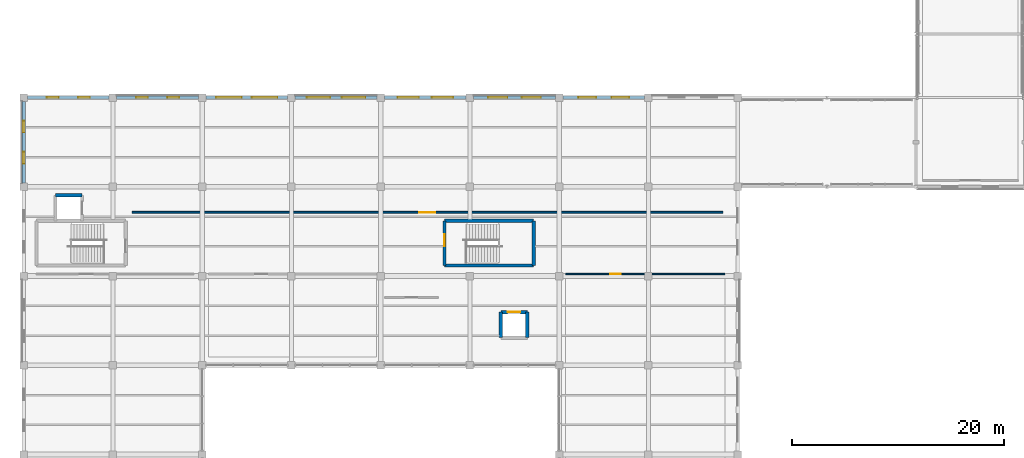
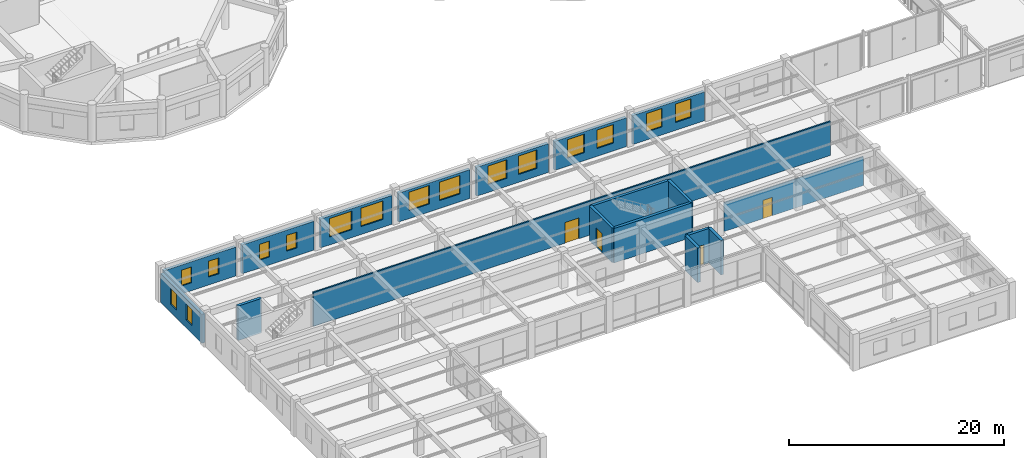
# One storey, part 119 of 152: 18 walls, 16 windows, 4 doors, 20 openings.
"""IFC4 building model written with IfcOpenShell, lengths in metres."""

import ifcopenshell
import ifcopenshell.guid

model = None  # the IFC model being written
_history = None  # IfcOwnerHistory: only IFC2X3 demands one
_inside = {}  # id of a spatial element -> (the spatial element, [elements in it])
_under = {}  # id of a project, library or spatial element -> (it, [spatial elements below it])
_declared = {}  # id of a project -> (the project, [libraries it declares])
_typed = {}  # id of a type object -> (the type object, [elements of that type])
_made_of = {}  # id of a material, layer set ... -> (it, [elements and type objects made of it])


def new_model(schema):
    """Start an empty IFC model of exactly this schema.

    Asked for "IFC4X3", IfcOpenShell would pick the latest addendum, in which some entities
    have other attributes; the version numbers below select the first issue.
    IFC2X3 requires an IfcOwnerHistory on every rooted entity: one is made here for all.
    """
    global model, _history
    if schema == "IFC4X3":
        model = ifcopenshell.file(schema_version=(4, 3, 0, 0))
    else:
        model = ifcopenshell.file(schema=schema)
    _inside.clear()
    _under.clear()
    _declared.clear()
    _typed.clear()
    _made_of.clear()
    _history = None
    if model.schema == "IFC2X3":
        org = make("IfcOrganization", Name="unknown")
        user = make(
            "IfcPersonAndOrganization",
            ThePerson=make("IfcPerson", FamilyName="unknown"),
            TheOrganization=org,
        )
        app = make(
            "IfcApplication",
            ApplicationDeveloper=org,
            Version="unknown",
            ApplicationFullName="unknown",
            ApplicationIdentifier="unknown",
        )
        _history = make(
            "IfcOwnerHistory",
            OwningUser=user,
            OwningApplication=app,
            ChangeAction="ADDED",
            CreationDate=0,
        )
    return model


def make(cls, **values):
    """One entity of the class cls with the attributes given. An attribute that is None is left unset."""
    return model.create_entity(
        cls, **{name: value for name, value in values.items() if value is not None}
    )


def rooted(cls, **values):
    """An entity with a GlobalId (a new one), such as an element, a storey or a relation."""
    return make(cls, GlobalId=ifcopenshell.guid.new(), OwnerHistory=_history, **values)


def si_unit(unit_type, name, prefix=None):
    """IfcSIUnit, for example si_unit("LENGTHUNIT", "METRE", prefix="MILLI")."""
    return make("IfcSIUnit", UnitType=unit_type, Prefix=prefix, Name=name)


def assignment(units):
    """IfcUnitAssignment: the units of a project."""
    return None if units is None else make("IfcUnitAssignment", Units=units)


def point(xyz):
    """IfcCartesianPoint."""
    return None if xyz is None else make("IfcCartesianPoint", Coordinates=xyz)


def direction(xyz):
    """IfcDirection."""
    return None if xyz is None else make("IfcDirection", DirectionRatios=xyz)


def frame(location, z_axis=None, x_axis=None):
    """IfcAxis2Placement3D, a coordinate frame: its origin and axes. An axis left out is left unset."""
    return make(
        "IfcAxis2Placement3D",
        Location=point(location),
        Axis=direction(z_axis),
        RefDirection=direction(x_axis),
    )


def frame_2d(location, x_axis=None):
    """IfcAxis2Placement2D, a coordinate frame in the plane: its origin and x axis."""
    return make(
        "IfcAxis2Placement2D", Location=point(location), RefDirection=direction(x_axis)
    )


def origin():
    """The frame at (0, 0, 0) with its axes left unset."""
    return frame((0.0, 0.0, 0.0))


def place(relative_to, where):
    """IfcLocalPlacement: puts the frame where relative to a parent placement (None: the world)."""
    return make(
        "IfcLocalPlacement", PlacementRelTo=relative_to, RelativePlacement=where
    )


def context(
    kind, dimensions, precision=None, world=None, true_north=None, identifier=None
):
    """IfcGeometricRepresentationContext, for example the 3D "Model" context."""
    return make(
        "IfcGeometricRepresentationContext",
        ContextIdentifier=identifier,
        ContextType=kind,
        CoordinateSpaceDimension=dimensions,
        Precision=precision,
        WorldCoordinateSystem=world,
        TrueNorth=true_north,
    )


def subcontext(parent, identifier, kind, view, scale=None):
    """IfcGeometricRepresentationSubContext, for example "Body" below "Model"."""
    return make(
        "IfcGeometricRepresentationSubContext",
        ContextIdentifier=identifier,
        ContextType=kind,
        ParentContext=parent,
        TargetScale=scale,
        TargetView=view,
    )


def project(units=None, contexts=None):
    """IfcProject with its units and contexts."""
    return rooted(
        "IfcProject",
        Name="project",
        RepresentationContexts=contexts,
        UnitsInContext=assignment(units),
    )


def spatial(cls, under=None, at=None, **own):
    """A site, building, storey or space (cls), placed at a placement, below another one or the project."""
    s = rooted(cls, ObjectPlacement=at, **own)
    if under is not None:
        _under.setdefault(under.id(), (under, []))[1].append(s)
    return s


def profile(cls, at=None, kind="AREA", **sizes):
    """A parametric profile (cls). Its sizes go by their IFC names, for example OverallWidth=200.0."""
    return make(cls, ProfileType=kind, Position=at, **sizes)


def rectangle(**sizes):
    """IfcRectangleProfileDef."""
    return profile("IfcRectangleProfileDef", **sizes)


def extrude(swept, where, along, depth):
    """IfcExtrudedAreaSolid: the profile swept, set in the frame where, extruded along a direction by depth."""
    return make(
        "IfcExtrudedAreaSolid",
        SweptArea=swept,
        Position=where,
        ExtrudedDirection=direction(along),
        Depth=depth,
    )


def shape(context_of_items, identifier, shape_type, items):
    """IfcShapeRepresentation: the items that make up one representation, for example the "Body"."""
    return make(
        "IfcShapeRepresentation",
        ContextOfItems=context_of_items,
        RepresentationIdentifier=identifier,
        RepresentationType=shape_type,
        Items=items,
    )


def material(Name=None, Category=None):
    """IfcMaterial."""
    return make("IfcMaterial", Name=Name, Category=Category)


def layer(
    of_material, thickness, ventilated=None, Name=None, Category=None, Priority=None
):
    """IfcMaterialLayer: one layer of a wall or slab, of a material (None: an air gap)."""
    return make(
        "IfcMaterialLayer",
        Material=of_material,
        LayerThickness=thickness,
        IsVentilated=ventilated,
        Name=Name,
        Category=Category,
        Priority=Priority,
    )


def layer_set(layers, Name=None):
    """IfcMaterialLayerSet."""
    return make("IfcMaterialLayerSet", MaterialLayers=layers, LayerSetName=Name)


def made_of(thing, what):
    """Note that an element or type object is made of a material, layer set ...; save() writes the relation."""
    if what is not None:
        _made_of.setdefault(what.id(), (what, []))[1].append(thing)
    return thing


def type_object(cls, material=None, **own):
    """A type object (cls), such as IfcWallType, which elements share."""
    return made_of(rooted(cls, **own), material)


def element(
    cls,
    number,
    at=None,
    inside=None,
    cuts=None,
    type_object=None,
    material=None,
    context=None,
    identifier="Body",
    shape_type=None,
    held_by="IfcProductDefinitionShape",
    body=None,
    shapes=None,
    **own,
):
    """One element of the class cls, such as IfcWall. Its Tag is "e" and its number.

    at: its placement. inside: the storey or other place that contains it. cuts: it is an
    opening in that element (IfcRelVoidsElement). A single representation is given by context,
    identifier, shape_type and body (its items); several are given by shapes. held_by: the class
    of the entity that holds the representations. save() writes the other relations.
    """
    e = rooted(cls, Tag="e%d" % number, ObjectPlacement=at, **own)
    if body is not None:
        shapes = [shape(context, identifier, shape_type, body)]
    if shapes is not None:
        e.Representation = make(held_by, Representations=shapes)
    if inside is not None:
        _inside.setdefault(inside.id(), (inside, []))[1].append(e)
    if cuts is not None:
        rooted(
            "IfcRelVoidsElement", RelatingBuildingElement=cuts, RelatedOpeningElement=e
        )
    if type_object is not None:
        _typed.setdefault(type_object.id(), (type_object, []))[1].append(e)
    return made_of(e, material)


def fill(opening, filler):
    """IfcRelFillsElement: the door or window that sits in an opening."""
    return rooted(
        "IfcRelFillsElement",
        RelatingOpeningElement=opening,
        RelatedBuildingElement=filler,
    )


def aggregate(whole, parts):
    """IfcRelAggregates: a whole, such as a stair, and the parts it consists of."""
    return rooted("IfcRelAggregates", RelatingObject=whole, RelatedObjects=parts)


def save(model, path):
    """Write the relations noted so far, then the file.

    IfcRelAggregates (storeys below a building ...), IfcRelContainedInSpatialStructure (elements
    in a storey), IfcRelDefinesByType, IfcRelAssociatesMaterial and IfcRelDeclares: one each for
    every whole, place, type object, material and project.
    """
    for whole, parts in _under.values():
        aggregate(whole, parts)
    for where, things in _inside.values():
        rooted(
            "IfcRelContainedInSpatialStructure",
            RelatedElements=things,
            RelatingStructure=where,
        )
    for kind, things in _typed.values():
        rooted("IfcRelDefinesByType", RelatedObjects=things, RelatingType=kind)
    for what, things in _made_of.values():
        rooted("IfcRelAssociatesMaterial", RelatedObjects=things, RelatingMaterial=what)
    for by, libraries in _declared.values():
        rooted("IfcRelDeclares", RelatingContext=by, RelatedDefinitions=libraries)
    model.write(path)


model = new_model("IFC4")

# Units and contexts
model_context = context("Model", 3, precision=1e-05, world=origin(), true_north=direction((0.0, 1.0)))
body_context = subcontext(model_context, "Body", "Model", "MODEL_VIEW")
ifc_project = project(units=[si_unit("LENGTHUNIT", "METRE"), si_unit("AREAUNIT", "SQUARE_METRE"), si_unit("VOLUMEUNIT", "CUBIC_METRE"), si_unit("PLANEANGLEUNIT", "RADIAN"), si_unit("MASSUNIT", "GRAM", prefix="KILO"), si_unit("THERMODYNAMICTEMPERATUREUNIT", "KELVIN"), si_unit("POWERUNIT", "WATT")], contexts=[model_context])

# Site, building, storey
site_placement = place(None, origin())
site = spatial("IfcSite", under=ifc_project, at=site_placement, CompositionType="ELEMENT")
building_placement = place(site_placement, origin())
building = spatial("IfcBuilding", under=site, at=building_placement, Name="Darbajah Civic Hall", CompositionType="ELEMENT")
storey_placement = place(building_placement, frame((0.0, 0.0, 5.39990234375)))
storey = spatial("IfcBuildingStorey", under=building, at=storey_placement, Name="L01", CompositionType="ELEMENT", Elevation=5.39990234375)

# Walls
ifc_material_1 = material(Name="Concrete C45/55", Category="concrete")
ifc_layer_1 = layer(ifc_material_1, 0.300048828125, Name="Concrete C45/55")
ifc_layer_set_1 = layer_set([ifc_layer_1], Name="Concrete C45/55")
wall_type_1 = type_object("IfcWallType", Name="Core Shear Wall 300mm", PredefinedType="SHEAR", material=ifc_layer_set_1)
wall_1_placement = place(storey_placement, frame((5.5, 32.800048828125, 0.0), z_axis=(0.0, 0.0, 1.0), x_axis=(-1.0, 0.0, 0.0)))
element("IfcWall", 1, at=wall_1_placement, inside=storey, type_object=wall_type_1, Name="L01 lift PL5 shaft wall N", PredefinedType="SHEAR", context=body_context, shape_type="SweptSolid", body=[
    extrude(rectangle(XDim=2.5, YDim=0.300048828125, at=frame_2d((1.25, 0.0))), origin(), (0.0, 0.0, 1.0), 3.920166015625),
])
wall_2_placement = place(storey_placement, frame((39.60009765625, 26.199951171875, 0.0), z_axis=(0.0, 0.0, 1.0), x_axis=(1.0, 0.0, 0.0)))
element("IfcWall", 2, at=wall_2_placement, inside=storey, type_object=wall_type_1, Name="L01 core C11 shear wall S", PredefinedType="SHEAR", context=body_context, shape_type="SweptSolid", body=[
    extrude(rectangle(XDim=8.39990234375, YDim=0.300048828125, at=frame_2d((4.199951171875, 0.0))), origin(), (0.0, 0.0, 1.0), 3.920166015625),
])
wall_3_placement = place(storey_placement, frame((48.0, 26.199951171875, 0.0), z_axis=(0.0, 0.0, 1.0), x_axis=(0.0, 1.0, 0.0)))
element("IfcWall", 3, at=wall_3_placement, inside=storey, type_object=wall_type_1, Name="L01 core C11 shear wall E", PredefinedType="SHEAR", context=body_context, shape_type="SweptSolid", body=[
    extrude(rectangle(XDim=4.199951171875, YDim=0.300048828125, at=frame_2d((2.10009765625, 0.0))), origin(), (0.0, 0.0, 1.0), 3.920166015625),
])
wall_4_placement = place(storey_placement, frame((48.0, 30.39990234375, 0.0), z_axis=(0.0, 0.0, 1.0), x_axis=(-1.0, 0.0, 0.0)))
element("IfcWall", 4, at=wall_4_placement, inside=storey, type_object=wall_type_1, Name="L01 core C11 shear wall N", PredefinedType="SHEAR", context=body_context, shape_type="SweptSolid", body=[
    extrude(rectangle(XDim=8.39990234375, YDim=0.300048828125, at=frame_2d((4.199951171875, 0.0))), origin(), (0.0, 0.0, 1.0), 3.920166015625),
])

# Wall, opening, door
wall_5_placement = place(storey_placement, frame((39.60009765625, 30.39990234375, 0.0), z_axis=(0.0, 0.0, 1.0), x_axis=(0.0, -1.0, 0.0)))
wall_5 = element("IfcWall", 5, at=wall_5_placement, inside=storey, type_object=wall_type_1, Name="L01 core C11 shear wall W", PredefinedType="SHEAR", context=body_context, shape_type="SweptSolid", body=[
    extrude(rectangle(XDim=4.199951171875, YDim=0.300048828125, at=frame_2d((2.10009765625, 0.0))), origin(), (0.0, 0.0, 1.0), 3.920166015625),
])
opening_1_placement = place(wall_5_placement, frame((1.25, 0.0, 0.0)))
opening_1 = element("IfcOpeningElement", 6, at=opening_1_placement, cuts=wall_5, Name="Opening SD-0122", PredefinedType="OPENING", context=body_context, shape_type="SweptSolid", body=[
    extrude(rectangle(XDim=1.14990234375, YDim=2.199951171875, at=frame_2d((0.574951171875, 1.10009765625))), frame((0.0, 0.159912109375, 0.0), z_axis=(0.0, -1.0, 0.0), x_axis=(1.0, 0.0, 0.0)), (0.0, 0.0, 1.0), 0.320068359375),
])
ifc_material_2 = material(Name="Steel Rated Core Door", Category="steel")
door_type_1 = type_object("IfcDoorType", Name="Interior Door 1150x2200", OperationType="NOTDEFINED", PredefinedType="DOOR", material=ifc_material_2)
door_1_placement = place(opening_1_placement, origin())
door_1 = element("IfcDoor", 7, at=door_1_placement, inside=storey, type_object=door_type_1, Name="L01 stair ST11 fire door SD-0122", OperationType="SINGLE_SWING_LEFT", OverallHeight=2.199951171875, OverallWidth=1.14990234375, PredefinedType="DOOR", context=body_context, shape_type="SweptSolid", body=[
    extrude(rectangle(XDim=1.14990234375, YDim=2.199951171875, at=frame_2d((0.574951171875, 1.10009765625))), frame((0.0, 0.02490234375, 0.0), z_axis=(0.0, -1.0, 0.0), x_axis=(1.0, 0.0, 0.0)), (0.0, 0.0, 1.0), 0.050048828125),
])
fill(opening_1, door_1)

wall_6_placement = place(storey_placement, frame((47.39990234375, 21.800048828125, 0.0), z_axis=(0.0, 0.0, 1.0), x_axis=(-1.0, 0.0, 0.0)))
wall_6 = element("IfcWall", 8, at=wall_6_placement, inside=storey, type_object=wall_type_1, Name="L01 lift PL6 shaft wall N", PredefinedType="SHEAR", context=body_context, shape_type="SweptSolid", body=[
    extrude(rectangle(XDim=2.5, YDim=0.300048828125, at=frame_2d((1.25, 0.0))), origin(), (0.0, 0.0, 1.0), 3.920166015625),
])
opening_2_placement = place(wall_6_placement, frame((0.64990234375, 0.0, 0.0)))
opening_2 = element("IfcOpeningElement", 9, at=opening_2_placement, cuts=wall_6, Name="Opening LD-0128", PredefinedType="OPENING", context=body_context, shape_type="SweptSolid", body=[
    extrude(rectangle(XDim=1.199951171875, YDim=2.25, at=frame_2d((0.60009765625, 1.125))), frame((0.0, 0.159912109375, 0.0), z_axis=(0.0, -1.0, 0.0), x_axis=(1.0, 0.0, 0.0)), (0.0, 0.0, 1.0), 0.320068359375),
])
ifc_material_3 = material(Name="Stainless Lift Landing Door")
door_type_2 = type_object("IfcDoorType", Name="Lift Landing Door 1200x2250", OperationType="SLIDING_TO_LEFT", PredefinedType="DOOR", material=ifc_material_3)
door_2_placement = place(opening_2_placement, origin())
door_2 = element("IfcDoor", 10, at=door_2_placement, inside=storey, type_object=door_type_2, Name="L01 lift PL6 landing door LD-0128", OperationType="SLIDING_TO_LEFT", OverallHeight=2.25, OverallWidth=1.199951171875, PredefinedType="DOOR", context=body_context, shape_type="SweptSolid", body=[
    extrude(rectangle(XDim=1.199951171875, YDim=2.25, at=frame_2d((0.60009765625, 1.125))), frame((0.0, 0.02490234375, 0.0), z_axis=(0.0, -1.0, 0.0), x_axis=(1.0, 0.0, 0.0)), (0.0, 0.0, 1.0), 0.050048828125),
])
fill(opening_2, door_2)

# Walls
for number, where, z_axis, x_axis, name in (
    (11, (44.89990234375, 21.800048828125, 0.0), (0.0, 0.0, 1.0), (0.0, -1.0, 0.0), "L01 lift PL6 shaft wall W"),
    (12, (47.39990234375, 19.39990234375, 0.0), (0.0, 0.0, 1.0), (0.0, 1.0, 0.0), "L01 lift PL6 shaft wall E"),
):
    element("IfcWall", number, at=place(storey_placement, frame(where, z_axis=z_axis, x_axis=x_axis)), inside=storey, type_object=wall_type_1, Name=name, PredefinedType="SHEAR", context=body_context, shape_type="SweptSolid", body=[
        extrude(rectangle(XDim=2.400146484375, YDim=0.300048828125, at=frame_2d((1.2001953125, 0.0))), origin(), (0.0, 0.0, 1.0), 3.920166015625),
    ])

# Wall, openings, windows
ifc_material_4 = material(Name="Red Dholpur Sandstone Cladding", Category="masonry")
ifc_layer_2 = layer(ifc_material_4, 0.31005859375, Name="Red Dholpur Sandstone Cladding")
ifc_layer_set_2 = layer_set([ifc_layer_2], Name="Red Dholpur Sandstone Cladding")
wall_type_2 = type_object("IfcWallType", Name="Exterior Wall 310mm", PredefinedType="SOLIDWALL", material=ifc_layer_set_2)
wall_7_placement = place(storey_placement, frame((58.447998046875, 42.0, 0.0), z_axis=(0.0, 0.0, 1.0), x_axis=(-1.0, 0.0, 0.0)))
wall_7 = element("IfcWall", 13, at=wall_7_placement, inside=storey, type_object=wall_type_2, Name="L01 exterior wall EW-310", PredefinedType="SOLIDWALL", context=body_context, shape_type="SweptSolid", body=[
    extrude(rectangle(XDim=7.696044921875, YDim=0.31005859375, at=frame_2d((3.84814453125, 0.0))), origin(), (0.0, 0.0, 1.0), 3.2900390625),
])
opening_3_placement = place(wall_7_placement, frame((1.46533203125, 0.0, 0.89990234375)))
opening_3 = element("IfcOpeningElement", 14, at=opening_3_placement, cuts=wall_7, Name="Opening WN-04", PredefinedType="OPENING", context=body_context, shape_type="SweptSolid", body=[
    extrude(rectangle(XDim=1.64990234375, YDim=2.10009765625, at=frame_2d((0.824951171875, 1.050048828125))), frame((0.0, 0.1650390625, 0.0), z_axis=(0.0, -1.0, 0.0), x_axis=(1.0, 0.0, 0.0)), (0.0, 0.0, 1.0), 0.330078125),
])
opening_4_placement = place(wall_7_placement, frame((4.580810546875, 0.0, 0.89990234375)))
opening_4 = element("IfcOpeningElement", 15, at=opening_4_placement, cuts=wall_7, Name="Opening WN-04", PredefinedType="OPENING", context=body_context, shape_type="SweptSolid", body=[
    extrude(rectangle(XDim=1.64990234375, YDim=2.10009765625, at=frame_2d((0.824951171875, 1.050048828125))), frame((0.0, 0.1650390625, 0.0), z_axis=(0.0, -1.0, 0.0), x_axis=(1.0, 0.0, 0.0)), (0.0, 0.0, 1.0), 0.330078125),
])
ifc_material_5 = material(Name="Low-E Solar Control Double Glazing", Category="glass")
window_type_1 = type_object("IfcWindowType", Name="Facade Window 1650x2100", PartitioningType="DOUBLE_PANEL_VERTICAL", PredefinedType="WINDOW", material=ifc_material_5)
window_1_placement = place(opening_3_placement, origin())
window_1 = element("IfcWindow", 16, at=window_1_placement, inside=storey, type_object=window_type_1, Name="L01 facade window WN-04", OverallHeight=2.10009765625, OverallWidth=1.64990234375, PartitioningType="SINGLE_PANEL", PredefinedType="WINDOW", context=body_context, shape_type="SweptSolid", body=[
    extrude(rectangle(XDim=1.64990234375, YDim=2.10009765625, at=frame_2d((0.824951171875, 1.050048828125))), frame((0.0, 0.030029296875, 0.0), z_axis=(0.0, -1.0, 0.0), x_axis=(1.0, 0.0, 0.0)), (0.0, 0.0, 1.0), 0.06005859375),
])
fill(opening_3, window_1)
window_2_placement = place(opening_4_placement, origin())
window_2 = element("IfcWindow", 17, at=window_2_placement, inside=storey, type_object=window_type_1, Name="L01 facade window WN-04", OverallHeight=2.10009765625, OverallWidth=1.64990234375, PartitioningType="SINGLE_PANEL", PredefinedType="WINDOW", context=body_context, shape_type="SweptSolid", body=[
    extrude(rectangle(XDim=1.64990234375, YDim=2.10009765625, at=frame_2d((0.824951171875, 1.050048828125))), frame((0.0, 0.030029296875, 0.0), z_axis=(0.0, -1.0, 0.0), x_axis=(1.0, 0.0, 0.0)), (0.0, 0.0, 1.0), 0.06005859375),
])
fill(opening_4, window_2)

wall_8_placement = place(storey_placement, frame((50.048095703125, 42.0, 0.0), z_axis=(0.0, 0.0, 1.0), x_axis=(-1.0, 0.0, 0.0)))
wall_8 = element("IfcWall", 18, at=wall_8_placement, inside=storey, type_object=wall_type_2, Name="L01 exterior wall EW-310", PredefinedType="SOLIDWALL", context=body_context, shape_type="SweptSolid", body=[
    extrude(rectangle(XDim=7.696044921875, YDim=0.31005859375, at=frame_2d((3.84814453125, 0.0))), origin(), (0.0, 0.0, 1.0), 3.2900390625),
])
opening_5_placement = place(wall_8_placement, frame((1.365234375, 0.0, 0.89990234375)))
opening_5 = element("IfcOpeningElement", 19, at=opening_5_placement, cuts=wall_8, Name="Opening WN-05", PredefinedType="OPENING", context=body_context, shape_type="SweptSolid", body=[
    extrude(rectangle(XDim=1.800048828125, YDim=2.10009765625, at=frame_2d((0.89990234375, 1.050048828125))), frame((0.0, 0.1650390625, 0.0), z_axis=(0.0, -1.0, 0.0), x_axis=(1.0, 0.0, 0.0)), (0.0, 0.0, 1.0), 0.330078125),
])
opening_6_placement = place(wall_8_placement, frame((4.53076171875, 0.0, 0.89990234375)))
opening_6 = element("IfcOpeningElement", 20, at=opening_6_placement, cuts=wall_8, Name="Opening WN-05", PredefinedType="OPENING", context=body_context, shape_type="SweptSolid", body=[
    extrude(rectangle(XDim=1.800048828125, YDim=2.10009765625, at=frame_2d((0.89990234375, 1.050048828125))), frame((0.0, 0.1650390625, 0.0), z_axis=(0.0, -1.0, 0.0), x_axis=(1.0, 0.0, 0.0)), (0.0, 0.0, 1.0), 0.330078125),
])
window_type_2 = type_object("IfcWindowType", Name="Facade Window 1800x2100", PartitioningType="DOUBLE_PANEL_VERTICAL", PredefinedType="WINDOW", material=ifc_material_5)
window_3_placement = place(opening_5_placement, origin())
window_3 = element("IfcWindow", 21, at=window_3_placement, inside=storey, type_object=window_type_2, Name="L01 facade window WN-05", OverallHeight=2.10009765625, OverallWidth=1.800048828125, PartitioningType="SINGLE_PANEL", PredefinedType="WINDOW", context=body_context, shape_type="SweptSolid", body=[
    extrude(rectangle(XDim=1.800048828125, YDim=2.10009765625, at=frame_2d((0.89990234375, 1.050048828125))), frame((0.0, 0.030029296875, 0.0), z_axis=(0.0, -1.0, 0.0), x_axis=(1.0, 0.0, 0.0)), (0.0, 0.0, 1.0), 0.06005859375),
])
fill(opening_5, window_3)
window_4_placement = place(opening_6_placement, origin())
window_4 = element("IfcWindow", 22, at=window_4_placement, inside=storey, type_object=window_type_2, Name="L01 facade window WN-05", OverallHeight=2.10009765625, OverallWidth=1.800048828125, PartitioningType="SINGLE_PANEL", PredefinedType="WINDOW", context=body_context, shape_type="SweptSolid", body=[
    extrude(rectangle(XDim=1.800048828125, YDim=2.10009765625, at=frame_2d((0.89990234375, 1.050048828125))), frame((0.0, 0.030029296875, 0.0), z_axis=(0.0, -1.0, 0.0), x_axis=(1.0, 0.0, 0.0)), (0.0, 0.0, 1.0), 0.06005859375),
])
fill(opening_6, window_4)

wall_9_placement = place(storey_placement, frame((41.64794921875, 42.0, 0.0), z_axis=(0.0, 0.0, 1.0), x_axis=(-1.0, 0.0, 0.0)))
wall_9 = element("IfcWall", 23, at=wall_9_placement, inside=storey, type_object=wall_type_2, Name="L01 exterior wall EW-310", PredefinedType="SOLIDWALL", context=body_context, shape_type="SweptSolid", body=[
    extrude(rectangle(XDim=7.696044921875, YDim=0.31005859375, at=frame_2d((3.84814453125, 0.0))), origin(), (0.0, 0.0, 1.0), 3.2900390625),
])
opening_7_placement = place(wall_9_placement, frame((1.23193359375, 0.0, 0.89990234375)))
opening_7 = element("IfcOpeningElement", 24, at=opening_7_placement, cuts=wall_9, Name="Opening WN-06", PredefinedType="OPENING", context=body_context, shape_type="SweptSolid", body=[
    extrude(rectangle(XDim=2.0, YDim=2.10009765625, at=frame_2d((1.0, 1.050048828125))), frame((0.0, 0.1650390625, 0.0), z_axis=(0.0, -1.0, 0.0), x_axis=(1.0, 0.0, 0.0)), (0.0, 0.0, 1.0), 0.330078125),
])
opening_8_placement = place(wall_9_placement, frame((4.464111328125, 0.0, 0.89990234375)))
opening_8 = element("IfcOpeningElement", 25, at=opening_8_placement, cuts=wall_9, Name="Opening WN-06", PredefinedType="OPENING", context=body_context, shape_type="SweptSolid", body=[
    extrude(rectangle(XDim=2.0, YDim=2.10009765625, at=frame_2d((1.0, 1.050048828125))), frame((0.0, 0.1650390625, 0.0), z_axis=(0.0, -1.0, 0.0), x_axis=(1.0, 0.0, 0.0)), (0.0, 0.0, 1.0), 0.330078125),
])
window_type_3 = type_object("IfcWindowType", Name="Facade Window 2000x2100", PartitioningType="DOUBLE_PANEL_VERTICAL", PredefinedType="WINDOW", material=ifc_material_5)
window_5_placement = place(opening_7_placement, origin())
window_5 = element("IfcWindow", 26, at=window_5_placement, inside=storey, type_object=window_type_3, Name="L01 facade window WN-06", OverallHeight=2.10009765625, OverallWidth=2.0, PartitioningType="SINGLE_PANEL", PredefinedType="WINDOW", context=body_context, shape_type="SweptSolid", body=[
    extrude(rectangle(XDim=2.0, YDim=2.10009765625, at=frame_2d((1.0, 1.050048828125))), frame((0.0, 0.030029296875, 0.0), z_axis=(0.0, -1.0, 0.0), x_axis=(1.0, 0.0, 0.0)), (0.0, 0.0, 1.0), 0.06005859375),
])
fill(opening_7, window_5)
window_6_placement = place(opening_8_placement, origin())
window_6 = element("IfcWindow", 27, at=window_6_placement, inside=storey, type_object=window_type_3, Name="L01 facade window WN-06", OverallHeight=2.10009765625, OverallWidth=2.0, PartitioningType="SINGLE_PANEL", PredefinedType="WINDOW", context=body_context, shape_type="SweptSolid", body=[
    extrude(rectangle(XDim=2.0, YDim=2.10009765625, at=frame_2d((1.0, 1.050048828125))), frame((0.0, 0.030029296875, 0.0), z_axis=(0.0, -1.0, 0.0), x_axis=(1.0, 0.0, 0.0)), (0.0, 0.0, 1.0), 0.06005859375),
])
fill(opening_8, window_6)

wall_10_placement = place(storey_placement, frame((33.248046875, 42.0, 0.0), z_axis=(0.0, 0.0, 1.0), x_axis=(-1.0, 0.0, 0.0)))
wall_10 = element("IfcWall", 28, at=wall_10_placement, inside=storey, type_object=wall_type_2, Name="L01 exterior wall EW-310", PredefinedType="SOLIDWALL", context=body_context, shape_type="SweptSolid", body=[
    extrude(rectangle(XDim=7.696044921875, YDim=0.31005859375, at=frame_2d((3.84814453125, 0.0))), origin(), (0.0, 0.0, 1.0), 3.2900390625),
])
opening_9_placement = place(wall_10_placement, frame((1.0986328125, 0.0, 0.89990234375)))
opening_9 = element("IfcOpeningElement", 29, at=opening_9_placement, cuts=wall_10, Name="Opening WN-07", PredefinedType="OPENING", context=body_context, shape_type="SweptSolid", body=[
    extrude(rectangle(XDim=2.199951171875, YDim=2.10009765625, at=frame_2d((1.10009765625, 1.050048828125))), frame((0.0, 0.1650390625, 0.0), z_axis=(0.0, -1.0, 0.0), x_axis=(1.0, 0.0, 0.0)), (0.0, 0.0, 1.0), 0.330078125),
])
opening_10_placement = place(wall_10_placement, frame((4.397216796875, 0.0, 0.89990234375)))
opening_10 = element("IfcOpeningElement", 30, at=opening_10_placement, cuts=wall_10, Name="Opening WN-07", PredefinedType="OPENING", context=body_context, shape_type="SweptSolid", body=[
    extrude(rectangle(XDim=2.199951171875, YDim=2.10009765625, at=frame_2d((1.10009765625, 1.050048828125))), frame((0.0, 0.1650390625, 0.0), z_axis=(0.0, -1.0, 0.0), x_axis=(1.0, 0.0, 0.0)), (0.0, 0.0, 1.0), 0.330078125),
])
window_type_4 = type_object("IfcWindowType", Name="Facade Window 2200x2100", PartitioningType="DOUBLE_PANEL_VERTICAL", PredefinedType="WINDOW", material=ifc_material_5)
window_7_placement = place(opening_9_placement, origin())
window_7 = element("IfcWindow", 31, at=window_7_placement, inside=storey, type_object=window_type_4, Name="L01 facade window WN-07", OverallHeight=2.10009765625, OverallWidth=2.199951171875, PartitioningType="SINGLE_PANEL", PredefinedType="WINDOW", context=body_context, shape_type="SweptSolid", body=[
    extrude(rectangle(XDim=2.199951171875, YDim=2.10009765625, at=frame_2d((1.10009765625, 1.050048828125))), frame((0.0, 0.030029296875, 0.0), z_axis=(0.0, -1.0, 0.0), x_axis=(1.0, 0.0, 0.0)), (0.0, 0.0, 1.0), 0.06005859375),
])
fill(opening_9, window_7)
window_8_placement = place(opening_10_placement, origin())
window_8 = element("IfcWindow", 32, at=window_8_placement, inside=storey, type_object=window_type_4, Name="L01 facade window WN-07", OverallHeight=2.10009765625, OverallWidth=2.199951171875, PartitioningType="SINGLE_PANEL", PredefinedType="WINDOW", context=body_context, shape_type="SweptSolid", body=[
    extrude(rectangle(XDim=2.199951171875, YDim=2.10009765625, at=frame_2d((1.10009765625, 1.050048828125))), frame((0.0, 0.030029296875, 0.0), z_axis=(0.0, -1.0, 0.0), x_axis=(1.0, 0.0, 0.0)), (0.0, 0.0, 1.0), 0.06005859375),
])
fill(opening_10, window_8)

wall_11_placement = place(storey_placement, frame((24.847900390625, 42.0, 0.0), z_axis=(0.0, 0.0, 1.0), x_axis=(-1.0, 0.0, 0.0)))
wall_11 = element("IfcWall", 33, at=wall_11_placement, inside=storey, type_object=wall_type_2, Name="L01 exterior wall EW-310", PredefinedType="SOLIDWALL", context=body_context, shape_type="SweptSolid", body=[
    extrude(rectangle(XDim=7.69580078125, YDim=0.31005859375, at=frame_2d((3.847900390625, 0.0))), origin(), (0.0, 0.0, 1.0), 3.2900390625),
])
opening_11_placement = place(wall_11_placement, frame((0.96533203125, 0.0, 0.89990234375)))
opening_11 = element("IfcOpeningElement", 34, at=opening_11_placement, cuts=wall_11, Name="Opening WN-08", PredefinedType="OPENING", context=body_context, shape_type="SweptSolid", body=[
    extrude(rectangle(XDim=2.39990234375, YDim=2.10009765625, at=frame_2d((1.199951171875, 1.050048828125))), frame((0.0, 0.1650390625, 0.0), z_axis=(0.0, -1.0, 0.0), x_axis=(1.0, 0.0, 0.0)), (0.0, 0.0, 1.0), 0.330078125),
])
opening_12_placement = place(wall_11_placement, frame((4.330810546875, 0.0, 0.89990234375)))
opening_12 = element("IfcOpeningElement", 35, at=opening_12_placement, cuts=wall_11, Name="Opening WN-08", PredefinedType="OPENING", context=body_context, shape_type="SweptSolid", body=[
    extrude(rectangle(XDim=2.39990234375, YDim=2.10009765625, at=frame_2d((1.199951171875, 1.050048828125))), frame((0.0, 0.1650390625, 0.0), z_axis=(0.0, -1.0, 0.0), x_axis=(1.0, 0.0, 0.0)), (0.0, 0.0, 1.0), 0.330078125),
])
window_type_5 = type_object("IfcWindowType", Name="Facade Window 2400x2100", PartitioningType="DOUBLE_PANEL_VERTICAL", PredefinedType="WINDOW", material=ifc_material_5)
window_9_placement = place(opening_11_placement, origin())
window_9 = element("IfcWindow", 36, at=window_9_placement, inside=storey, type_object=window_type_5, Name="L01 facade window WN-08", OverallHeight=2.10009765625, OverallWidth=2.39990234375, PartitioningType="SINGLE_PANEL", PredefinedType="WINDOW", context=body_context, shape_type="SweptSolid", body=[
    extrude(rectangle(XDim=2.39990234375, YDim=2.10009765625, at=frame_2d((1.199951171875, 1.050048828125))), frame((0.0, 0.030029296875, 0.0), z_axis=(0.0, -1.0, 0.0), x_axis=(1.0, 0.0, 0.0)), (0.0, 0.0, 1.0), 0.06005859375),
])
fill(opening_11, window_9)
window_10_placement = place(opening_12_placement, origin())
window_10 = element("IfcWindow", 37, at=window_10_placement, inside=storey, type_object=window_type_5, Name="L01 facade window WN-08", OverallHeight=2.10009765625, OverallWidth=2.39990234375, PartitioningType="SINGLE_PANEL", PredefinedType="WINDOW", context=body_context, shape_type="SweptSolid", body=[
    extrude(rectangle(XDim=2.39990234375, YDim=2.10009765625, at=frame_2d((1.199951171875, 1.050048828125))), frame((0.0, 0.030029296875, 0.0), z_axis=(0.0, -1.0, 0.0), x_axis=(1.0, 0.0, 0.0)), (0.0, 0.0, 1.0), 0.06005859375),
])
fill(opening_12, window_10)

wall_12_placement = place(storey_placement, frame((16.447998046875, 42.0, 0.0), z_axis=(0.0, 0.0, 1.0), x_axis=(-1.0, 0.0, 0.0)))
wall_12 = element("IfcWall", 38, at=wall_12_placement, inside=storey, type_object=wall_type_2, Name="L01 exterior wall EW-310", PredefinedType="SOLIDWALL", context=body_context, shape_type="SweptSolid", body=[
    extrude(rectangle(XDim=7.696044921875, YDim=0.31005859375, at=frame_2d((3.84814453125, 0.0))), origin(), (0.0, 0.0, 1.0), 3.2900390625),
])
opening_13_placement = place(wall_12_placement, frame((1.83203125, 0.0, 0.89990234375)))
opening_13 = element("IfcOpeningElement", 39, at=opening_13_placement, cuts=wall_12, Name="Opening WN-17", PredefinedType="OPENING", context=body_context, shape_type="SweptSolid", body=[
    extrude(rectangle(XDim=1.10009765625, YDim=1.800048828125, at=frame_2d((0.550048828125, 0.89990234375))), frame((0.0, 0.1650390625, 0.0), z_axis=(0.0, -1.0, 0.0), x_axis=(1.0, 0.0, 0.0)), (0.0, 0.0, 1.0), 0.330078125),
])
opening_14_placement = place(wall_12_placement, frame((4.763916015625, 0.0, 0.89990234375)))
opening_14 = element("IfcOpeningElement", 40, at=opening_14_placement, cuts=wall_12, Name="Opening WN-17", PredefinedType="OPENING", context=body_context, shape_type="SweptSolid", body=[
    extrude(rectangle(XDim=1.10009765625, YDim=1.800048828125, at=frame_2d((0.550048828125, 0.89990234375))), frame((0.0, 0.1650390625, 0.0), z_axis=(0.0, -1.0, 0.0), x_axis=(1.0, 0.0, 0.0)), (0.0, 0.0, 1.0), 0.330078125),
])
window_type_6 = type_object("IfcWindowType", Name="Facade Window 1100x1800", PartitioningType="SINGLE_PANEL", PredefinedType="WINDOW", material=ifc_material_5)
window_11_placement = place(opening_13_placement, origin())
window_11 = element("IfcWindow", 41, at=window_11_placement, inside=storey, type_object=window_type_6, Name="L01 facade window WN-17", OverallHeight=1.800048828125, OverallWidth=1.10009765625, PartitioningType="SINGLE_PANEL", PredefinedType="WINDOW", context=body_context, shape_type="SweptSolid", body=[
    extrude(rectangle(XDim=1.10009765625, YDim=1.800048828125, at=frame_2d((0.550048828125, 0.89990234375))), frame((0.0, 0.030029296875, 0.0), z_axis=(0.0, -1.0, 0.0), x_axis=(1.0, 0.0, 0.0)), (0.0, 0.0, 1.0), 0.06005859375),
])
fill(opening_13, window_11)
window_12_placement = place(opening_14_placement, origin())
window_12 = element("IfcWindow", 42, at=window_12_placement, inside=storey, type_object=window_type_6, Name="L01 facade window WN-17", OverallHeight=1.800048828125, OverallWidth=1.10009765625, PartitioningType="SINGLE_PANEL", PredefinedType="WINDOW", context=body_context, shape_type="SweptSolid", body=[
    extrude(rectangle(XDim=1.10009765625, YDim=1.800048828125, at=frame_2d((0.550048828125, 0.89990234375))), frame((0.0, 0.030029296875, 0.0), z_axis=(0.0, -1.0, 0.0), x_axis=(1.0, 0.0, 0.0)), (0.0, 0.0, 1.0), 0.06005859375),
])
fill(opening_14, window_12)

wall_13_placement = place(storey_placement, frame((8.048095703125, 42.0, 0.0), z_axis=(0.0, 0.0, 1.0), x_axis=(-1.0, 0.0, 0.0)))
wall_13 = element("IfcWall", 43, at=wall_13_placement, inside=storey, type_object=wall_type_2, Name="L01 exterior wall EW-310", PredefinedType="SOLIDWALL", context=body_context, shape_type="SweptSolid", body=[
    extrude(rectangle(XDim=7.696044921875, YDim=0.31005859375, at=frame_2d((3.84814453125, 0.0))), origin(), (0.0, 0.0, 1.0), 3.2900390625),
])
opening_15_placement = place(wall_13_placement, frame((1.83203125, 0.0, 0.89990234375)))
opening_15 = element("IfcOpeningElement", 44, at=opening_15_placement, cuts=wall_13, Name="Opening WN-17", PredefinedType="OPENING", context=body_context, shape_type="SweptSolid", body=[
    extrude(rectangle(XDim=1.10009765625, YDim=1.800048828125, at=frame_2d((0.550048828125, 0.89990234375))), frame((0.0, 0.1650390625, 0.0), z_axis=(0.0, -1.0, 0.0), x_axis=(1.0, 0.0, 0.0)), (0.0, 0.0, 1.0), 0.330078125),
])
opening_16_placement = place(wall_13_placement, frame((4.763916015625, 0.0, 0.89990234375)))
opening_16 = element("IfcOpeningElement", 45, at=opening_16_placement, cuts=wall_13, Name="Opening WN-17", PredefinedType="OPENING", context=body_context, shape_type="SweptSolid", body=[
    extrude(rectangle(XDim=1.10009765625, YDim=1.800048828125, at=frame_2d((0.550048828125, 0.89990234375))), frame((0.0, 0.1650390625, 0.0), z_axis=(0.0, -1.0, 0.0), x_axis=(1.0, 0.0, 0.0)), (0.0, 0.0, 1.0), 0.330078125),
])
window_13_placement = place(opening_15_placement, origin())
window_13 = element("IfcWindow", 46, at=window_13_placement, inside=storey, type_object=window_type_6, Name="L01 facade window WN-17", OverallHeight=1.800048828125, OverallWidth=1.10009765625, PartitioningType="SINGLE_PANEL", PredefinedType="WINDOW", context=body_context, shape_type="SweptSolid", body=[
    extrude(rectangle(XDim=1.10009765625, YDim=1.800048828125, at=frame_2d((0.550048828125, 0.89990234375))), frame((0.0, 0.030029296875, 0.0), z_axis=(0.0, -1.0, 0.0), x_axis=(1.0, 0.0, 0.0)), (0.0, 0.0, 1.0), 0.06005859375),
])
fill(opening_15, window_13)
window_14_placement = place(opening_16_placement, origin())
window_14 = element("IfcWindow", 47, at=window_14_placement, inside=storey, type_object=window_type_6, Name="L01 facade window WN-17", OverallHeight=1.800048828125, OverallWidth=1.10009765625, PartitioningType="SINGLE_PANEL", PredefinedType="WINDOW", context=body_context, shape_type="SweptSolid", body=[
    extrude(rectangle(XDim=1.10009765625, YDim=1.800048828125, at=frame_2d((0.550048828125, 0.89990234375))), frame((0.0, 0.030029296875, 0.0), z_axis=(0.0, -1.0, 0.0), x_axis=(1.0, 0.0, 0.0)), (0.0, 0.0, 1.0), 0.06005859375),
])
fill(opening_16, window_14)

wall_14_placement = place(storey_placement, frame((0.0, 41.64794921875, 0.0), z_axis=(0.0, 0.0, 1.0), x_axis=(0.0, -1.0, 0.0)))
wall_14 = element("IfcWall", 48, at=wall_14_placement, inside=storey, type_object=wall_type_2, Name="L01 exterior wall EW-310", PredefinedType="SOLIDWALL", context=body_context, shape_type="SweptSolid", body=[
    extrude(rectangle(XDim=7.696044921875, YDim=0.31005859375, at=frame_2d((3.84814453125, 0.0))), origin(), (0.0, 0.0, 1.0), 3.2900390625),
])
opening_17_placement = place(wall_14_placement, frame((1.83203125, 0.0, 0.89990234375)))
opening_17 = element("IfcOpeningElement", 49, at=opening_17_placement, cuts=wall_14, Name="Opening WN-17", PredefinedType="OPENING", context=body_context, shape_type="SweptSolid", body=[
    extrude(rectangle(XDim=1.10009765625, YDim=1.800048828125, at=frame_2d((0.550048828125, 0.89990234375))), frame((0.0, 0.1650390625, 0.0), z_axis=(0.0, -1.0, 0.0), x_axis=(1.0, 0.0, 0.0)), (0.0, 0.0, 1.0), 0.330078125),
])
opening_18_placement = place(wall_14_placement, frame((4.763916015625, 0.0, 0.89990234375)))
opening_18 = element("IfcOpeningElement", 50, at=opening_18_placement, cuts=wall_14, Name="Opening WN-17", PredefinedType="OPENING", context=body_context, shape_type="SweptSolid", body=[
    extrude(rectangle(XDim=1.10009765625, YDim=1.800048828125, at=frame_2d((0.550048828125, 0.89990234375))), frame((0.0, 0.1650390625, 0.0), z_axis=(0.0, -1.0, 0.0), x_axis=(1.0, 0.0, 0.0)), (0.0, 0.0, 1.0), 0.330078125),
])
window_15_placement = place(opening_17_placement, origin())
window_15 = element("IfcWindow", 51, at=window_15_placement, inside=storey, type_object=window_type_6, Name="L01 facade window WN-17", OverallHeight=1.800048828125, OverallWidth=1.10009765625, PartitioningType="SINGLE_PANEL", PredefinedType="WINDOW", context=body_context, shape_type="SweptSolid", body=[
    extrude(rectangle(XDim=1.10009765625, YDim=1.800048828125, at=frame_2d((0.550048828125, 0.89990234375))), frame((0.0, 0.030029296875, 0.0), z_axis=(0.0, -1.0, 0.0), x_axis=(1.0, 0.0, 0.0)), (0.0, 0.0, 1.0), 0.06005859375),
])
fill(opening_17, window_15)
window_16_placement = place(opening_18_placement, origin())
window_16 = element("IfcWindow", 52, at=window_16_placement, inside=storey, type_object=window_type_6, Name="L01 facade window WN-17", OverallHeight=1.800048828125, OverallWidth=1.10009765625, PartitioningType="SINGLE_PANEL", PredefinedType="WINDOW", context=body_context, shape_type="SweptSolid", body=[
    extrude(rectangle(XDim=1.10009765625, YDim=1.800048828125, at=frame_2d((0.550048828125, 0.89990234375))), frame((0.0, 0.030029296875, 0.0), z_axis=(0.0, -1.0, 0.0), x_axis=(1.0, 0.0, 0.0)), (0.0, 0.0, 1.0), 0.06005859375),
])
fill(opening_18, window_16)

# Wall, opening, door
ifc_material_6 = material(Name="Acoustic Gypsum Partition")
ifc_layer_3 = layer(ifc_material_6, 0.114990234375, Name="Acoustic Gypsum Partition")
ifc_layer_set_3 = layer_set([ifc_layer_3], Name="Acoustic Gypsum Partition")
wall_type_3 = type_object("IfcWallType", Name="Interior Partition 115mm", PredefinedType="PARTITIONING", material=ifc_layer_set_3)
wall_15_placement = place(storey_placement, frame((51.0, 25.39990234375, 0.0), z_axis=(0.0, 0.0, 1.0), x_axis=(1.0, 0.0, 0.0)))
wall_15 = element("IfcWall", 53, at=wall_15_placement, inside=storey, type_object=wall_type_3, Name="L01 interior partition L01-V5-04", PredefinedType="PARTITIONING", context=body_context, shape_type="SweptSolid", body=[
    extrude(rectangle(XDim=15.0, YDim=0.114990234375, at=frame_2d((7.5, 0.0))), origin(), (0.0, 0.0, 1.0), 3.2900390625),
])
opening_19_placement = place(wall_15_placement, frame((4.199951171875, 0.0, 0.0)))
opening_19 = element("IfcOpeningElement", 54, at=opening_19_placement, cuts=wall_15, Name="Opening D-0193", PredefinedType="OPENING", context=body_context, shape_type="SweptSolid", body=[
    extrude(rectangle(XDim=1.0, YDim=2.10009765625, at=frame_2d((0.5, 1.050048828125))), frame((0.0, 0.0673828125, 0.0), z_axis=(0.0, -1.0, 0.0), x_axis=(1.0, 0.0, 0.0)), (0.0, 0.0, 1.0), 0.135009765625),
])
ifc_material_7 = material(Name="Oak Suite Door")
door_type_3 = type_object("IfcDoorType", Name="Interior Door 1000x2100", OperationType="NOTDEFINED", PredefinedType="DOOR", material=ifc_material_7)
door_3_placement = place(opening_19_placement, origin())
door_3 = element("IfcDoor", 55, at=door_3_placement, inside=storey, type_object=door_type_3, Name="L01 L01-V5-04 door D-0193", OperationType="SINGLE_SWING_RIGHT", OverallHeight=2.10009765625, OverallWidth=1.0, PredefinedType="DOOR", context=body_context, shape_type="SweptSolid", body=[
    extrude(rectangle(XDim=1.0, YDim=2.10009765625, at=frame_2d((0.5, 1.050048828125))), frame((0.0, 0.02490234375, 0.0), z_axis=(0.0, -1.0, 0.0), x_axis=(1.0, 0.0, 0.0)), (0.0, 0.0, 1.0), 0.050048828125),
])
fill(opening_19, door_3)

ifc_material_8 = material(Name="Gypsum Plasterboard on Steel Stud", Category="steel")
ifc_layer_4 = layer(ifc_material_8, 0.159912109375, Name="Gypsum Plasterboard on Steel Stud")
ifc_layer_set_4 = layer_set([ifc_layer_4], Name="Gypsum Plasterboard on Steel Stud")
wall_type_4 = type_object("IfcWallType", Name="Interior Partition 160mm", PredefinedType="PARTITIONING", material=ifc_layer_set_4)
wall_16_placement = place(storey_placement, frame((10.199951171875, 31.199951171875, 0.0), z_axis=(0.0, 0.0, 1.0), x_axis=(1.0, 0.0, 0.0)))
wall_16 = element("IfcWall", 56, at=wall_16_placement, inside=storey, type_object=wall_type_4, Name="L01 interior partition L01-V5-05", PredefinedType="PARTITIONING", context=body_context, shape_type="SweptSolid", body=[
    extrude(rectangle(XDim=55.60009765625, YDim=0.159912109375, at=frame_2d((27.800048828125, 0.0))), origin(), (0.0, 0.0, 1.0), 3.860107421875),
])
opening_20_placement = place(wall_16_placement, frame((27.050048828125, 0.0, 0.0)))
opening_20 = element("IfcOpeningElement", 57, at=opening_20_placement, cuts=wall_16, Name="Opening D-0194", PredefinedType="OPENING", context=body_context, shape_type="SweptSolid", body=[
    extrude(rectangle(XDim=1.5, YDim=2.35009765625, at=frame_2d((0.75, 1.175048828125))), frame((0.0, 0.08984375, 0.0), z_axis=(0.0, -1.0, 0.0), x_axis=(1.0, 0.0, 0.0)), (0.0, 0.0, 1.0), 0.179931640625),
])
ifc_material_9 = material(Name="Committee Chamber Double Door")
door_type_4 = type_object("IfcDoorType", Name="Interior Door 1500x2350", OperationType="NOTDEFINED", PredefinedType="DOOR", material=ifc_material_9)
door_4_placement = place(opening_20_placement, origin())
door_4 = element("IfcDoor", 58, at=door_4_placement, inside=storey, type_object=door_type_4, Name="L01 L01-V5-05 door D-0194", OperationType="DOUBLE_DOOR_SINGLE_SWING", OverallHeight=2.35009765625, OverallWidth=1.5, PredefinedType="DOOR", context=body_context, shape_type="SweptSolid", body=[
    extrude(rectangle(XDim=1.5, YDim=2.35009765625, at=frame_2d((0.75, 1.175048828125))), frame((0.0, 0.02490234375, 0.0), z_axis=(0.0, -1.0, 0.0), x_axis=(1.0, 0.0, 0.0)), (0.0, 0.0, 1.0), 0.050048828125),
])
fill(opening_20, door_4)

save(model, "model.ifc")
